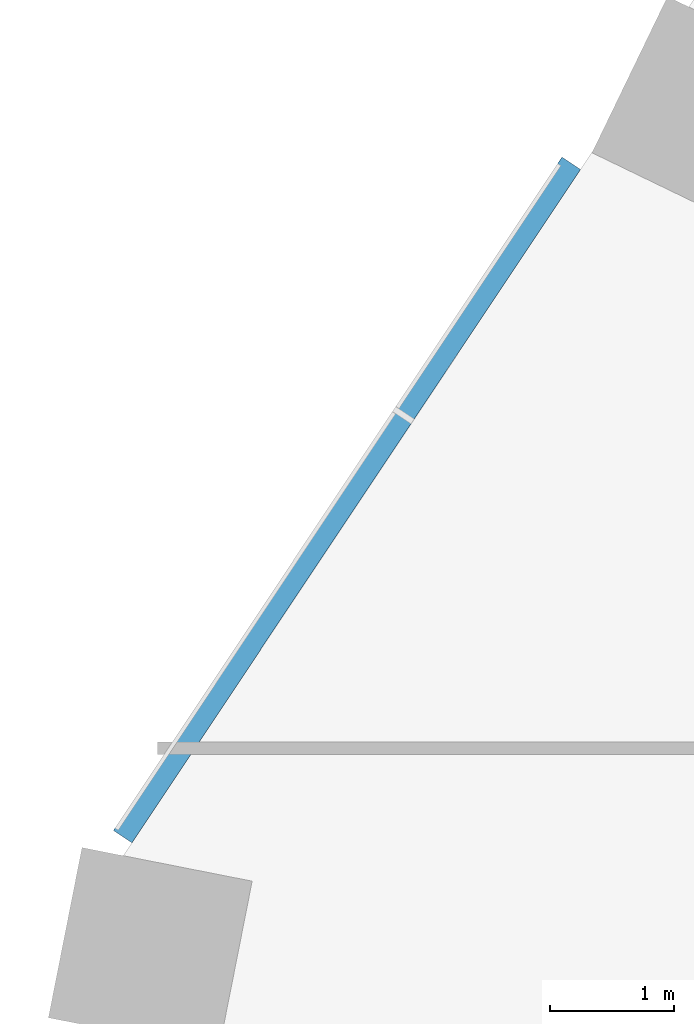
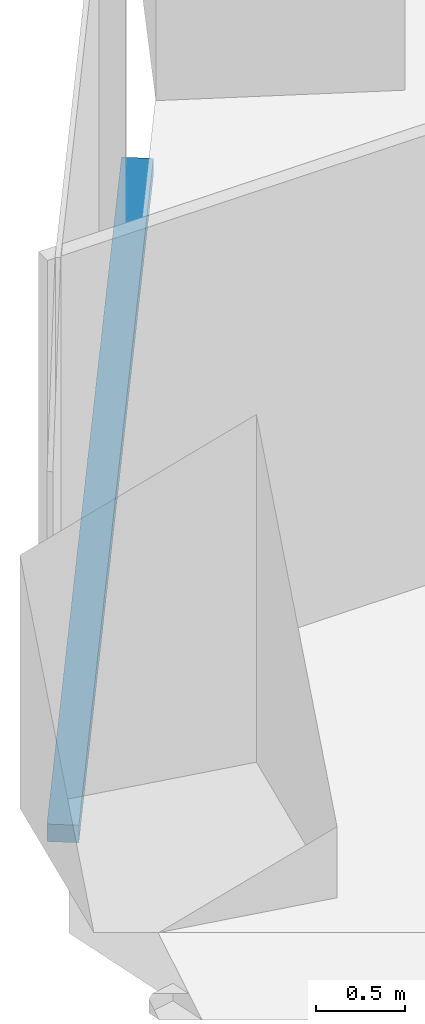
# One storey, part 7 of 38: 1 member, 1 element without a shape of its own.
"""IFC4 building model written with IfcOpenShell, lengths in metres."""

import ifcopenshell
import ifcopenshell.guid

model = None  # the IFC model being written
_history = None  # IfcOwnerHistory: only IFC2X3 demands one
_inside = {}  # id of a spatial element -> (the spatial element, [elements in it])
_under = {}  # id of a project, library or spatial element -> (it, [spatial elements below it])
_declared = {}  # id of a project -> (the project, [libraries it declares])
_typed = {}  # id of a type object -> (the type object, [elements of that type])
_made_of = {}  # id of a material, layer set ... -> (it, [elements and type objects made of it])


def new_model(schema):
    """Start an empty IFC model of exactly this schema.

    Asked for "IFC4X3", IfcOpenShell would pick the latest addendum, in which some entities
    have other attributes; the version numbers below select the first issue.
    IFC2X3 requires an IfcOwnerHistory on every rooted entity: one is made here for all.
    """
    global model, _history
    if schema == "IFC4X3":
        model = ifcopenshell.file(schema_version=(4, 3, 0, 0))
    else:
        model = ifcopenshell.file(schema=schema)
    _inside.clear()
    _under.clear()
    _declared.clear()
    _typed.clear()
    _made_of.clear()
    _history = None
    if model.schema == "IFC2X3":
        org = make("IfcOrganization", Name="unknown")
        user = make(
            "IfcPersonAndOrganization",
            ThePerson=make("IfcPerson", FamilyName="unknown"),
            TheOrganization=org,
        )
        app = make(
            "IfcApplication",
            ApplicationDeveloper=org,
            Version="unknown",
            ApplicationFullName="unknown",
            ApplicationIdentifier="unknown",
        )
        _history = make(
            "IfcOwnerHistory",
            OwningUser=user,
            OwningApplication=app,
            ChangeAction="ADDED",
            CreationDate=0,
        )
    return model


def make(cls, **values):
    """One entity of the class cls with the attributes given. An attribute that is None is left unset."""
    return model.create_entity(
        cls, **{name: value for name, value in values.items() if value is not None}
    )


def rooted(cls, **values):
    """An entity with a GlobalId (a new one), such as an element, a storey or a relation."""
    return make(cls, GlobalId=ifcopenshell.guid.new(), OwnerHistory=_history, **values)


def si_unit(unit_type, name, prefix=None):
    """IfcSIUnit, for example si_unit("LENGTHUNIT", "METRE", prefix="MILLI")."""
    return make("IfcSIUnit", UnitType=unit_type, Prefix=prefix, Name=name)


def assignment(units):
    """IfcUnitAssignment: the units of a project."""
    return None if units is None else make("IfcUnitAssignment", Units=units)


def point(xyz):
    """IfcCartesianPoint."""
    return None if xyz is None else make("IfcCartesianPoint", Coordinates=xyz)


def direction(xyz):
    """IfcDirection."""
    return None if xyz is None else make("IfcDirection", DirectionRatios=xyz)


def frame(location, z_axis=None, x_axis=None):
    """IfcAxis2Placement3D, a coordinate frame: its origin and axes. An axis left out is left unset."""
    return make(
        "IfcAxis2Placement3D",
        Location=point(location),
        Axis=direction(z_axis),
        RefDirection=direction(x_axis),
    )


def frame_2d(location, x_axis=None):
    """IfcAxis2Placement2D, a coordinate frame in the plane: its origin and x axis."""
    return make(
        "IfcAxis2Placement2D", Location=point(location), RefDirection=direction(x_axis)
    )


def origin():
    """The frame at (0, 0, 0) with its axes left unset."""
    return frame((0.0, 0.0, 0.0))


def origin_2d():
    """The frame at (0, 0) in the plane with its x axis left unset."""
    return frame_2d((0.0, 0.0))


def place(relative_to, where):
    """IfcLocalPlacement: puts the frame where relative to a parent placement (None: the world)."""
    return make(
        "IfcLocalPlacement", PlacementRelTo=relative_to, RelativePlacement=where
    )


def context(
    kind, dimensions, precision=None, world=None, true_north=None, identifier=None
):
    """IfcGeometricRepresentationContext, for example the 3D "Model" context."""
    return make(
        "IfcGeometricRepresentationContext",
        ContextIdentifier=identifier,
        ContextType=kind,
        CoordinateSpaceDimension=dimensions,
        Precision=precision,
        WorldCoordinateSystem=world,
        TrueNorth=true_north,
    )


def subcontext(parent, identifier, kind, view, scale=None):
    """IfcGeometricRepresentationSubContext, for example "Body" below "Model"."""
    return make(
        "IfcGeometricRepresentationSubContext",
        ContextIdentifier=identifier,
        ContextType=kind,
        ParentContext=parent,
        TargetScale=scale,
        TargetView=view,
    )


def project(units=None, contexts=None):
    """IfcProject with its units and contexts."""
    return rooted(
        "IfcProject",
        Name="project",
        RepresentationContexts=contexts,
        UnitsInContext=assignment(units),
    )


def spatial(cls, under=None, at=None, **own):
    """A site, building, storey or space (cls), placed at a placement, below another one or the project."""
    s = rooted(cls, ObjectPlacement=at, **own)
    if under is not None:
        _under.setdefault(under.id(), (under, []))[1].append(s)
    return s


def profile(cls, at=None, kind="AREA", **sizes):
    """A parametric profile (cls). Its sizes go by their IFC names, for example OverallWidth=200.0."""
    return make(cls, ProfileType=kind, Position=at, **sizes)


def rectangle(**sizes):
    """IfcRectangleProfileDef."""
    return profile("IfcRectangleProfileDef", **sizes)


def extrude(swept, where, along, depth):
    """IfcExtrudedAreaSolid: the profile swept, set in the frame where, extruded along a direction by depth."""
    return make(
        "IfcExtrudedAreaSolid",
        SweptArea=swept,
        Position=where,
        ExtrudedDirection=direction(along),
        Depth=depth,
    )


def shape(context_of_items, identifier, shape_type, items):
    """IfcShapeRepresentation: the items that make up one representation, for example the "Body"."""
    return make(
        "IfcShapeRepresentation",
        ContextOfItems=context_of_items,
        RepresentationIdentifier=identifier,
        RepresentationType=shape_type,
        Items=items,
    )


def material(Name=None, Category=None):
    """IfcMaterial."""
    return make("IfcMaterial", Name=Name, Category=Category)


def material_profile(
    of_material, cross_section, Name=None, Category=None, Priority=None
):
    """IfcMaterialProfile: a cross section and its material."""
    return make(
        "IfcMaterialProfile",
        Name=Name,
        Material=of_material,
        Profile=cross_section,
        Priority=Priority,
        Category=Category,
    )


def profile_set(profiles, Name=None, composite=None):
    """IfcMaterialProfileSet."""
    return make(
        "IfcMaterialProfileSet",
        Name=Name,
        MaterialProfiles=profiles,
        CompositeProfile=composite,
    )


def made_of(thing, what):
    """Note that an element or type object is made of a material, layer set ...; save() writes the relation."""
    if what is not None:
        _made_of.setdefault(what.id(), (what, []))[1].append(thing)
    return thing


def type_object(cls, material=None, **own):
    """A type object (cls), such as IfcWallType, which elements share."""
    return made_of(rooted(cls, **own), material)


def element(
    cls,
    number,
    at=None,
    inside=None,
    cuts=None,
    type_object=None,
    material=None,
    context=None,
    identifier="Body",
    shape_type=None,
    held_by="IfcProductDefinitionShape",
    body=None,
    shapes=None,
    **own,
):
    """One element of the class cls, such as IfcWall. Its Tag is "e" and its number.

    at: its placement. inside: the storey or other place that contains it. cuts: it is an
    opening in that element (IfcRelVoidsElement). A single representation is given by context,
    identifier, shape_type and body (its items); several are given by shapes. held_by: the class
    of the entity that holds the representations. save() writes the other relations.
    """
    e = rooted(cls, Tag="e%d" % number, ObjectPlacement=at, **own)
    if body is not None:
        shapes = [shape(context, identifier, shape_type, body)]
    if shapes is not None:
        e.Representation = make(held_by, Representations=shapes)
    if inside is not None:
        _inside.setdefault(inside.id(), (inside, []))[1].append(e)
    if cuts is not None:
        rooted(
            "IfcRelVoidsElement", RelatingBuildingElement=cuts, RelatedOpeningElement=e
        )
    if type_object is not None:
        _typed.setdefault(type_object.id(), (type_object, []))[1].append(e)
    return made_of(e, material)


def aggregate(whole, parts):
    """IfcRelAggregates: a whole, such as a stair, and the parts it consists of."""
    return rooted("IfcRelAggregates", RelatingObject=whole, RelatedObjects=parts)


def save(model, path):
    """Write the relations noted so far, then the file.

    IfcRelAggregates (storeys below a building ...), IfcRelContainedInSpatialStructure (elements
    in a storey), IfcRelDefinesByType, IfcRelAssociatesMaterial and IfcRelDeclares: one each for
    every whole, place, type object, material and project.
    """
    for whole, parts in _under.values():
        aggregate(whole, parts)
    for where, things in _inside.values():
        rooted(
            "IfcRelContainedInSpatialStructure",
            RelatedElements=things,
            RelatingStructure=where,
        )
    for kind, things in _typed.values():
        rooted("IfcRelDefinesByType", RelatedObjects=things, RelatingType=kind)
    for what, things in _made_of.values():
        rooted("IfcRelAssociatesMaterial", RelatedObjects=things, RelatingMaterial=what)
    for by, libraries in _declared.values():
        rooted("IfcRelDeclares", RelatingContext=by, RelatedDefinitions=libraries)
    model.write(path)


model = new_model("IFC4")

# Units and contexts
model_context = context("Model", 3, precision=1e-05, world=origin(), true_north=direction((0.0, 1.0)))
body_context = subcontext(model_context, "Body", "Model", "MODEL_VIEW")
ifc_project = project(units=[si_unit("LENGTHUNIT", "METRE"), si_unit("AREAUNIT", "SQUARE_METRE"), si_unit("VOLUMEUNIT", "CUBIC_METRE"), si_unit("PLANEANGLEUNIT", "RADIAN"), si_unit("MASSUNIT", "GRAM", prefix="KILO")], contexts=[model_context])

# Site, building, storey
site_placement = place(None, origin())
site = spatial("IfcSite", under=ifc_project, at=site_placement, CompositionType="ELEMENT")
building_placement = place(site_placement, origin())
building = spatial("IfcBuilding", under=site, at=building_placement, Name="Orlundy Tower", CompositionType="ELEMENT")
storey_placement = place(building_placement, frame((0.0, 0.0, 65.800048828125)))
storey = spatial("IfcBuildingStorey", under=building, at=storey_placement, Name="L15", CompositionType="ELEMENT", Elevation=65.800048828125)

# Curtain wall, member
ifc_material_1 = material(Name="Aluminium bronze anodised", Category="aluminium")
curtain_wall_type = type_object("IfcCurtainWallType", Name="CW1 wall", PredefinedType="NOTDEFINED", material=ifc_material_1)
curtain_wall_placement = place(storey_placement, origin())
curtain_wall = element("IfcCurtainWall", 1, at=curtain_wall_placement, inside=storey, type_object=curtain_wall_type, Name="CW1 run 014", PredefinedType="NOTDEFINED")
ifc_material_2 = material(Name="Aluminium bronze anodised", Category="aluminium")
ifc_material_profile = material_profile(ifc_material_2, rectangle(XDim=0.179931640625, YDim=0.1201171875, at=origin_2d()), Name="CW1 transom 180x120")
ifc_profile_set = profile_set([ifc_material_profile], Name="Aluminium bronze anodised")
member_type = type_object("IfcMemberType", Name="CW1 transom 180x120", PredefinedType="USERDEFINED", material=ifc_profile_set)
member_placement = place(storey_placement, frame((-31.442626953125, 7.073486328125, -0.340087890625), z_axis=(0.554355096338, 0.832280257584, 0.0), x_axis=(-0.832280257584, 0.554355096338, 0.0)))
member = element("IfcMember", 2, at=member_placement, type_object=member_type, Name="CW1 transom", ObjectType="TRANSOM", PredefinedType="USERDEFINED", context=body_context, shape_type="SweptSolid", body=[
    extrude(rectangle(XDim=0.179931640625, YDim=0.1201171875, at=origin_2d()), origin(), (0.0, 0.0, 1.0), 6.53125),
])
aggregate(curtain_wall, [member])

save(model, "model.ifc")
